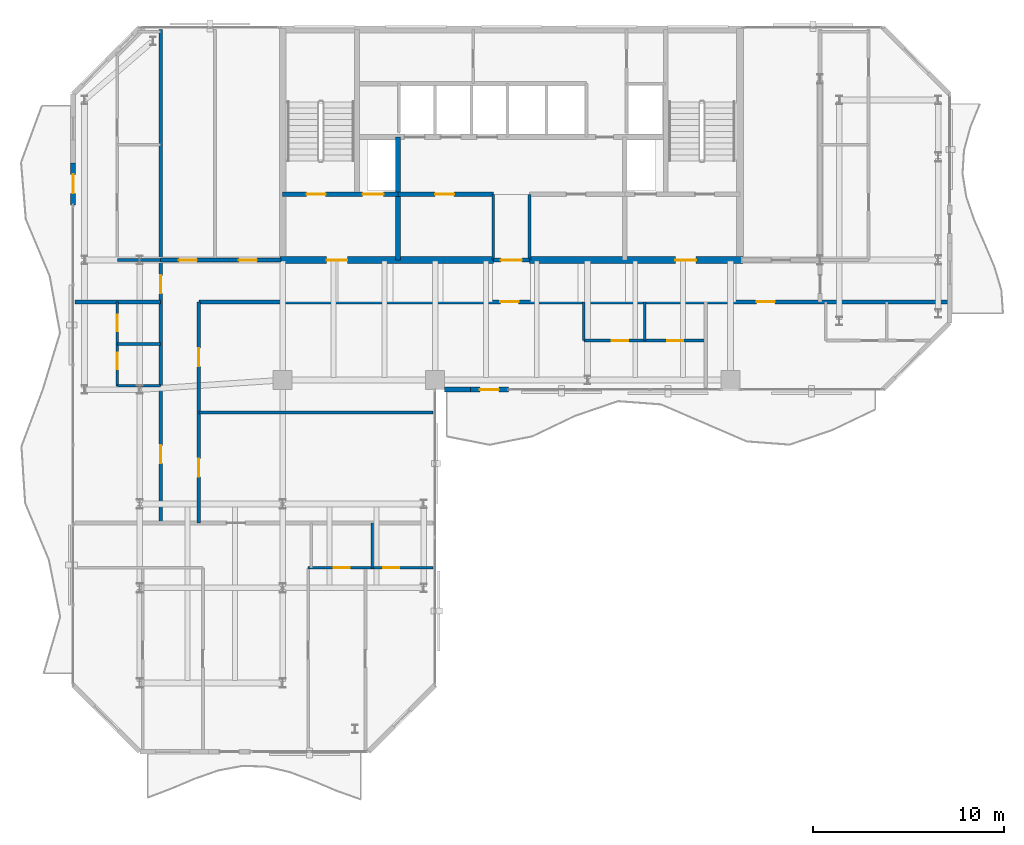
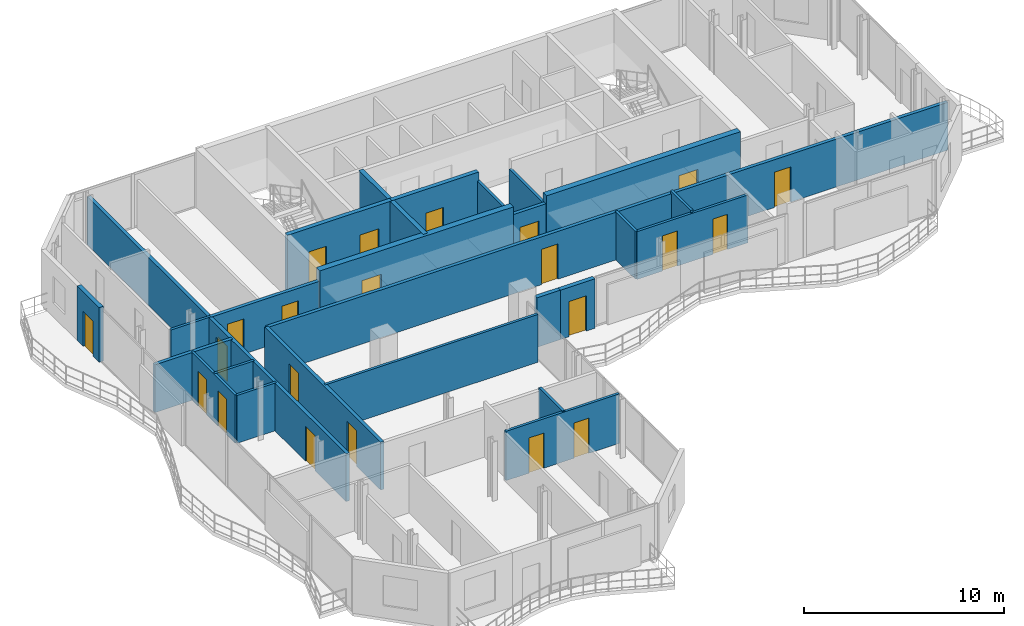
# One storey, part 18 of 23: 26 walls, 22 doors, 22 openings.
"""IFC4 building model written with IfcOpenShell, lengths in metres."""

from ifc_helpers import new_model, si_unit, direction, frame, frame_2d, origin, place, context, subcontext, project, spatial, rectangle, extrude, material, layer, layer_set, type_object, element, fill, save


model = new_model("IFC4")

# Units and contexts
model_context = context("Model", 3, precision=1e-05, world=origin(), true_north=direction((0.0, 1.0)))
body_context = subcontext(model_context, "Body", "Model", "MODEL_VIEW")
ifc_project = project(units=[si_unit("LENGTHUNIT", "METRE"), si_unit("AREAUNIT", "SQUARE_METRE"), si_unit("VOLUMEUNIT", "CUBIC_METRE"), si_unit("PLANEANGLEUNIT", "RADIAN"), si_unit("MASSUNIT", "GRAM", prefix="KILO")], contexts=[model_context])

# Site, building, storey
site_placement = place(None, origin())
site = spatial("IfcSite", under=ifc_project, at=site_placement, CompositionType="ELEMENT")
building_placement = place(site_placement, origin())
building = spatial("IfcBuilding", under=site, at=building_placement, Name="Catumbela Crestline Tower", CompositionType="ELEMENT")
storey_placement = place(building_placement, frame((0.0, 0.0, 193.8)))
storey = spatial("IfcBuildingStorey", under=building, at=storey_placement, Name="L50", CompositionType="ELEMENT", Elevation=193.8)

# Wall
ifc_material_1 = material(Name="Concrete C50/60", Category="concrete")
ifc_layer_1 = layer(ifc_material_1, 0.25, Name="Concrete C50/60")
ifc_layer_set_1 = layer_set([ifc_layer_1], Name="Concrete C50/60")
wall_type_1 = type_object("IfcWallType", Name="CW-250D", PredefinedType="SHEAR", material=ifc_layer_set_1)
wall_1_placement = place(storey_placement, frame((22.05, 30.8, 0.0), z_axis=(0.0, 0.0, 1.0), x_axis=(0.0, 1.0, 0.0)))
element("IfcWall", 1, at=wall_1_placement, inside=storey, type_object=wall_type_1, Name="L50 Structural Core Shear Wall FFW", PredefinedType="SHEAR", context=body_context, shape_type="SweptSolid", body=[
    extrude(rectangle(XDim=6.45, YDim=0.25, at=frame_2d((3.225, 0.0))), origin(), (0.0, 0.0, 1.0), 3.6),
])

# Wall, openings, doors
wall_2_placement = place(storey_placement, frame((16.0, 34.25, 0.0), z_axis=(0.0, 0.0, 1.0), x_axis=(1.0, 0.0, 0.0)))
wall_2 = element("IfcWall", 2, at=wall_2_placement, inside=storey, type_object=wall_type_1, Name="L50 Structural Core Shear Wall ST1S", PredefinedType="SHEAR", context=body_context, shape_type="SweptSolid", body=[
    extrude(rectangle(XDim=6.05, YDim=0.25, at=frame_2d((3.025, 0.0))), origin(), (0.0, 0.0, 1.0), 3.6),
])
opening_1_placement = place(wall_2_placement, frame((1.25, 0.0, 0.0)))
opening_1 = element("IfcOpeningElement", 3, at=opening_1_placement, cuts=wall_2, Name="Opening DF9-100", PredefinedType="OPENING", context=body_context, shape_type="SweptSolid", body=[
    extrude(rectangle(XDim=1.0, YDim=2.15, at=frame_2d((0.5, 1.075))), frame((0.0, 0.135, 0.0), z_axis=(0.0, -1.0, 0.0), x_axis=(1.0, 0.0, 0.0)), (0.0, 0.0, 1.0), 0.27),
])
opening_2_placement = place(wall_2_placement, frame((4.2, 0.0, 0.0)))
opening_2 = element("IfcOpeningElement", 4, at=opening_2_placement, cuts=wall_2, Name="Opening LD-110", PredefinedType="OPENING", context=body_context, shape_type="SweptSolid", body=[
    extrude(rectangle(XDim=1.1, YDim=2.15, at=frame_2d((0.55, 1.075))), frame((0.0, 0.135, 0.0), z_axis=(0.0, -1.0, 0.0), x_axis=(1.0, 0.0, 0.0)), (0.0, 0.0, 1.0), 0.27),
])
ifc_material_2 = material(Name="Stainless steel EN 1.4401", Category="steel")
door_type_1 = type_object("IfcDoorType", Name="DF9-100", OperationType="NOTDEFINED", PredefinedType="DOOR", material=ifc_material_2)
door_1_placement = place(opening_1_placement, origin())
door_1 = element("IfcDoor", 5, at=door_1_placement, inside=storey, type_object=door_type_1, Name="L50 Interior Door DR-L50-ST01", OperationType="SINGLE_SWING_LEFT", OverallHeight=2.15, OverallWidth=1.0, PredefinedType="DOOR", context=body_context, shape_type="SweptSolid", body=[
    extrude(rectangle(XDim=1.0, YDim=2.15, at=frame_2d((0.5, 1.075))), frame((0.0, 0.025, 0.0), z_axis=(0.0, -1.0, 0.0), x_axis=(1.0, 0.0, 0.0)), (0.0, 0.0, 1.0), 0.05),
])
fill(opening_1, door_1)
door_type_2 = type_object("IfcDoorType", Name="LD-110", OperationType="NOTDEFINED", PredefinedType="DOOR", material=ifc_material_2)
door_2_placement = place(opening_2_placement, origin())
door_2 = element("IfcDoor", 6, at=door_2_placement, inside=storey, type_object=door_type_2, Name="L50 Lift Landing Sliding Door FL-01", OperationType="DOUBLE_DOOR_SLIDING", OverallHeight=2.15, OverallWidth=1.1, PredefinedType="DOOR", context=body_context, shape_type="SweptSolid", body=[
    extrude(rectangle(XDim=1.1, YDim=2.15, at=frame_2d((0.55, 1.075))), frame((0.0, 0.025, 0.0), z_axis=(0.0, -1.0, 0.0), x_axis=(1.0, 0.0, 0.0)), (0.0, 0.0, 1.0), 0.05),
])
fill(opening_2, door_2)

# Wall, opening, door
wall_3_placement = place(storey_placement, frame((22.05, 34.25, 0.0), z_axis=(0.0, 0.0, 1.0), x_axis=(1.0, 0.0, 0.0)))
wall_3 = element("IfcWall", 7, at=wall_3_placement, inside=storey, type_object=wall_type_1, Name="L50 Structural Core Shear Wall LIFTS-W", PredefinedType="SHEAR", context=body_context, shape_type="SweptSolid", body=[
    extrude(rectangle(XDim=5.0, YDim=0.25, at=frame_2d((2.5, 0.0))), origin(), (0.0, 0.0, 1.0), 3.6),
])
opening_3_placement = place(wall_3_placement, frame((1.95, 0.0, 0.0)))
opening_3 = element("IfcOpeningElement", 8, at=opening_3_placement, cuts=wall_3, Name="Opening DF9-100", PredefinedType="OPENING", context=body_context, shape_type="SweptSolid", body=[
    extrude(rectangle(XDim=1.0, YDim=2.15, at=frame_2d((0.5, 1.075))), frame((0.0, 0.135, 0.0), z_axis=(0.0, -1.0, 0.0), x_axis=(1.0, 0.0, 0.0)), (0.0, 0.0, 1.0), 0.27),
])
door_3_placement = place(opening_3_placement, origin())
door_3 = element("IfcDoor", 9, at=door_3_placement, inside=storey, type_object=door_type_1, Name="L50 Interior Door DR-L50-RECL1", OperationType="SINGLE_SWING_LEFT", OverallHeight=2.15, OverallWidth=1.0, PredefinedType="DOOR", context=body_context, shape_type="SweptSolid", body=[
    extrude(rectangle(XDim=1.0, YDim=2.15, at=frame_2d((0.5, 1.075))), frame((0.0, 0.025, 0.0), z_axis=(0.0, -1.0, 0.0), x_axis=(1.0, 0.0, 0.0)), (0.0, 0.0, 1.0), 0.05),
])
fill(opening_3, door_3)

ifc_layer_2 = layer(ifc_material_1, 0.35, Name="Concrete C50/60")
ifc_layer_set_2 = layer_set([ifc_layer_2], Name="Concrete C50/60")
wall_type_2 = type_object("IfcWallType", Name="CW-350B", PredefinedType="SHEAR", material=ifc_layer_set_2)
wall_4_placement = place(storey_placement, frame((15.85, 30.8, 0.0), z_axis=(0.0, 0.0, 1.0), x_axis=(1.0, 0.0, 0.0)))
wall_4 = element("IfcWall", 10, at=wall_4_placement, inside=storey, type_object=wall_type_2, Name="L50 Structural Core Shear Wall SW", PredefinedType="SHEAR", context=body_context, shape_type="SweptSolid", body=[
    extrude(rectangle(XDim=11.2, YDim=0.35, at=frame_2d((5.6, 0.0))), origin(), (0.0, 0.0, 1.0), 3.6),
])
opening_4_placement = place(wall_4_placement, frame((2.45, 0.0, 0.0)))
opening_4 = element("IfcOpeningElement", 11, at=opening_4_placement, cuts=wall_4, Name="Opening DF9-110", PredefinedType="OPENING", context=body_context, shape_type="SweptSolid", body=[
    extrude(rectangle(XDim=1.1, YDim=2.15, at=frame_2d((0.55, 1.075))), frame((0.0, 0.185, 0.0), z_axis=(0.0, -1.0, 0.0), x_axis=(1.0, 0.0, 0.0)), (0.0, 0.0, 1.0), 0.37),
])
door_type_3 = type_object("IfcDoorType", Name="DF9-110", OperationType="NOTDEFINED", PredefinedType="DOOR", material=ifc_material_2)
door_4_placement = place(opening_4_placement, origin())
door_4 = element("IfcDoor", 12, at=door_4_placement, inside=storey, type_object=door_type_3, Name="L50 Interior Door DR-L50-FFW-S", OperationType="SINGLE_SWING_LEFT", OverallHeight=2.15, OverallWidth=1.1, PredefinedType="DOOR", context=body_context, shape_type="SweptSolid", body=[
    extrude(rectangle(XDim=1.1, YDim=2.15, at=frame_2d((0.55, 1.075))), frame((0.0, 0.025, 0.0), z_axis=(0.0, -1.0, 0.0), x_axis=(1.0, 0.0, 0.0)), (0.0, 0.0, 1.0), 0.05),
])
fill(opening_4, door_4)

wall_5_placement = place(storey_placement, frame((28.95, 30.8, 0.0), z_axis=(0.0, 0.0, 1.0), x_axis=(1.0, 0.0, 0.0)))
wall_5 = element("IfcWall", 13, at=wall_5_placement, inside=storey, type_object=wall_type_2, Name="L50 Structural Core Shear Wall SE", PredefinedType="SHEAR", context=body_context, shape_type="SweptSolid", body=[
    extrude(rectangle(XDim=11.2, YDim=0.35, at=frame_2d((5.6, 0.0))), origin(), (0.0, 0.0, 1.0), 3.6),
])
opening_5_placement = place(wall_5_placement, frame((7.65, 0.0, 0.0)))
opening_5 = element("IfcOpeningElement", 14, at=opening_5_placement, cuts=wall_5, Name="Opening DF9-110", PredefinedType="OPENING", context=body_context, shape_type="SweptSolid", body=[
    extrude(rectangle(XDim=1.1, YDim=2.15, at=frame_2d((0.55, 1.075))), frame((0.0, 0.185, 0.0), z_axis=(0.0, -1.0, 0.0), x_axis=(1.0, 0.0, 0.0)), (0.0, 0.0, 1.0), 0.37),
])
door_5_placement = place(opening_5_placement, origin())
door_5 = element("IfcDoor", 15, at=door_5_placement, inside=storey, type_object=door_type_3, Name="L50 Interior Door DR-L50-FFE-S", OperationType="SINGLE_SWING_RIGHT", OverallHeight=2.15, OverallWidth=1.1, PredefinedType="DOOR", context=body_context, shape_type="SweptSolid", body=[
    extrude(rectangle(XDim=1.1, YDim=2.15, at=frame_2d((0.55, 1.075))), frame((0.0, 0.025, 0.0), z_axis=(0.0, -1.0, 0.0), x_axis=(1.0, 0.0, 0.0)), (0.0, 0.0, 1.0), 0.05),
])
fill(opening_5, door_5)

ifc_material_3 = material(Name="Acoustic gypsum and mineral-wool partition")
ifc_layer_3 = layer(ifc_material_3, 0.2, Name="Acoustic gypsum and mineral-wool partition")
ifc_layer_set_3 = layer_set([ifc_layer_3], Name="Acoustic gypsum and mineral-wool partition")
wall_type_3 = type_object("IfcWallType", Name="WC-200", PredefinedType="PARTITIONING", material=ifc_layer_set_3)
wall_6_placement = place(storey_placement, frame((27.05, 30.8, 0.0), z_axis=(0.0, 0.0, 1.0), x_axis=(1.0, 0.0, 0.0)))
wall_6 = element("IfcWall", 16, at=wall_6_placement, inside=storey, type_object=wall_type_3, Name="L50 Interior Partition PW-L50-CLOBS", PredefinedType="PARTITIONING", context=body_context, shape_type="SweptSolid", body=[
    extrude(rectangle(XDim=1.9, YDim=0.2, at=frame_2d((0.95, 0.0))), origin(), (0.0, 0.0, 1.0), 3.07),
])
opening_6_placement = place(wall_6_placement, frame((0.4, 0.0, 0.0)))
opening_6 = element("IfcOpeningElement", 17, at=opening_6_placement, cuts=wall_6, Name="Opening DF9-110", PredefinedType="OPENING", context=body_context, shape_type="SweptSolid", body=[
    extrude(rectangle(XDim=1.1, YDim=2.15, at=frame_2d((0.55, 1.075))), frame((0.0, 0.11, 0.0), z_axis=(0.0, -1.0, 0.0), x_axis=(1.0, 0.0, 0.0)), (0.0, 0.0, 1.0), 0.22),
])
door_6_placement = place(opening_6_placement, origin())
door_6 = element("IfcDoor", 18, at=door_6_placement, inside=storey, type_object=door_type_3, Name="L50 Interior Door DR-L50-CLOBS", OperationType="SINGLE_SWING_LEFT", OverallHeight=2.15, OverallWidth=1.1, PredefinedType="DOOR", context=body_context, shape_type="SweptSolid", body=[
    extrude(rectangle(XDim=1.1, YDim=2.15, at=frame_2d((0.55, 1.075))), frame((0.0, 0.025, 0.0), z_axis=(0.0, -1.0, 0.0), x_axis=(1.0, 0.0, 0.0)), (0.0, 0.0, 1.0), 0.05),
])
fill(opening_6, door_6)

# Wall, openings, doors
wall_7_placement = place(storey_placement, frame((11.6, 28.6, 0.0), z_axis=(0.0, 0.0, 1.0), x_axis=(1.0, 0.0, 0.0)))
wall_7 = element("IfcWall", 19, at=wall_7_placement, inside=storey, type_object=wall_type_3, Name="L50 Interior Partition PW-L50-RCWR", PredefinedType="PARTITIONING", context=body_context, shape_type="SweptSolid", body=[
    extrude(rectangle(XDim=39.3, YDim=0.2, at=frame_2d((19.65, 0.0))), origin(), (0.0, 0.0, 1.0), 2.92),
])
opening_7_placement = place(wall_7_placement, frame((15.825, 0.0, 0.0)))
opening_7 = element("IfcOpeningElement", 20, at=opening_7_placement, cuts=wall_7, Name="Opening DF6-095", PredefinedType="OPENING", context=body_context, shape_type="SweptSolid", body=[
    extrude(rectangle(XDim=0.95, YDim=2.15, at=frame_2d((0.475, 1.075))), frame((0.0, 0.11, 0.0), z_axis=(0.0, -1.0, 0.0), x_axis=(1.0, 0.0, 0.0)), (0.0, 0.0, 1.0), 0.22),
])
opening_8_placement = place(wall_7_placement, frame((29.275, 0.0, 0.0)))
opening_8 = element("IfcOpeningElement", 21, at=opening_8_placement, cuts=wall_7, Name="Opening DF6-095", PredefinedType="OPENING", context=body_context, shape_type="SweptSolid", body=[
    extrude(rectangle(XDim=0.95, YDim=2.15, at=frame_2d((0.475, 1.075))), frame((0.0, 0.11, 0.0), z_axis=(0.0, -1.0, 0.0), x_axis=(1.0, 0.0, 0.0)), (0.0, 0.0, 1.0), 0.22),
])
ifc_material_4 = material(Name="Aluminium alloy AW-6060-T66", Category="aluminium")
door_type_4 = type_object("IfcDoorType", Name="DF6-095", OperationType="NOTDEFINED", PredefinedType="DOOR", material=ifc_material_4)
door_7_placement = place(opening_7_placement, origin())
door_7 = element("IfcDoor", 22, at=door_7_placement, inside=storey, type_object=door_type_4, Name="L50 Interior Door DR-L50-S1-ENT", OperationType="SINGLE_SWING_LEFT", OverallHeight=2.15, OverallWidth=0.95, PredefinedType="DOOR", context=body_context, shape_type="SweptSolid", body=[
    extrude(rectangle(XDim=0.95, YDim=2.15, at=frame_2d((0.475, 1.075))), frame((0.0, 0.025, 0.0), z_axis=(0.0, -1.0, 0.0), x_axis=(1.0, 0.0, 0.0)), (0.0, 0.0, 1.0), 0.05),
])
fill(opening_7, door_7)
door_8_placement = place(opening_8_placement, origin())
door_8 = element("IfcDoor", 23, at=door_8_placement, inside=storey, type_object=door_type_4, Name="L50 Interior Door DR-L50-S2-ENT", OperationType="SINGLE_SWING_RIGHT", OverallHeight=2.15, OverallWidth=0.95, PredefinedType="DOOR", context=body_context, shape_type="SweptSolid", body=[
    extrude(rectangle(XDim=0.95, YDim=2.15, at=frame_2d((0.475, 1.075))), frame((0.0, 0.025, 0.0), z_axis=(0.0, -1.0, 0.0), x_axis=(1.0, 0.0, 0.0)), (0.0, 0.0, 1.0), 0.05),
])
fill(opening_8, door_8)

wall_8_placement = place(storey_placement, frame((9.6, 17.0, 0.0), z_axis=(0.0, 0.0, 1.0), x_axis=(0.0, 1.0, 0.0)))
wall_8 = element("IfcWall", 24, at=wall_8_placement, inside=storey, type_object=wall_type_3, Name="L50 Interior Partition PW-L50-NW1-ENT", PredefinedType="PARTITIONING", context=body_context, shape_type="SweptSolid", body=[
    extrude(rectangle(XDim=25.9, YDim=0.2, at=frame_2d((12.95, 0.0))), origin(), (0.0, 0.0, 1.0), 2.92),
])
opening_9_placement = place(wall_8_placement, frame((12.045, 0.0, 0.0)))
opening_9 = element("IfcOpeningElement", 25, at=opening_9_placement, cuts=wall_8, Name="Opening DF6-095", PredefinedType="OPENING", context=body_context, shape_type="SweptSolid", body=[
    extrude(rectangle(XDim=0.95, YDim=2.15, at=frame_2d((0.475, 1.075))), frame((0.0, 0.11, 0.0), z_axis=(0.0, -1.0, 0.0), x_axis=(1.0, 0.0, 0.0)), (0.0, 0.0, 1.0), 0.22),
])
opening_10_placement = place(wall_8_placement, frame((3.125, 0.0, 0.0)))
opening_10 = element("IfcOpeningElement", 26, at=opening_10_placement, cuts=wall_8, Name="Opening DF6-095", PredefinedType="OPENING", context=body_context, shape_type="SweptSolid", body=[
    extrude(rectangle(XDim=0.95, YDim=2.15, at=frame_2d((0.475, 1.075))), frame((0.0, 0.11, 0.0), z_axis=(0.0, -1.0, 0.0), x_axis=(1.0, 0.0, 0.0)), (0.0, 0.0, 1.0), 0.22),
])
door_9_placement = place(opening_9_placement, origin())
door_9 = element("IfcDoor", 27, at=door_9_placement, inside=storey, type_object=door_type_4, Name="L50 Interior Door DR-L50-NW1-ENT", OperationType="SINGLE_SWING_LEFT", OverallHeight=2.15, OverallWidth=0.95, PredefinedType="DOOR", context=body_context, shape_type="SweptSolid", body=[
    extrude(rectangle(XDim=0.95, YDim=2.15, at=frame_2d((0.475, 1.075))), frame((0.0, 0.025, 0.0), z_axis=(0.0, -1.0, 0.0), x_axis=(1.0, 0.0, 0.0)), (0.0, 0.0, 1.0), 0.05),
])
fill(opening_9, door_9)
door_10_placement = place(opening_10_placement, origin())
door_10 = element("IfcDoor", 28, at=door_10_placement, inside=storey, type_object=door_type_4, Name="L50 Interior Door DR-L50-WL1-ENT", OperationType="SINGLE_SWING_LEFT", OverallHeight=2.15, OverallWidth=0.95, PredefinedType="DOOR", context=body_context, shape_type="SweptSolid", body=[
    extrude(rectangle(XDim=0.95, YDim=2.15, at=frame_2d((0.475, 1.075))), frame((0.0, 0.025, 0.0), z_axis=(0.0, -1.0, 0.0), x_axis=(1.0, 0.0, 0.0)), (0.0, 0.0, 1.0), 0.05),
])
fill(opening_10, door_10)

wall_9_placement = place(storey_placement, frame((9.6, 30.8, 0.0), z_axis=(0.0, 0.0, 1.0), x_axis=(1.0, 0.0, 0.0)))
wall_9 = element("IfcWall", 29, at=wall_9_placement, inside=storey, type_object=wall_type_3, Name="L50 Interior Partition PW-L50-NWST-ENT", PredefinedType="PARTITIONING", context=body_context, shape_type="SweptSolid", body=[
    extrude(rectangle(XDim=6.3, YDim=0.2, at=frame_2d((3.15, 0.0))), origin(), (0.0, 0.0, 1.0), 2.92),
])
opening_11_placement = place(wall_9_placement, frame((0.95, 0.0, 0.0)))
opening_11 = element("IfcOpeningElement", 30, at=opening_11_placement, cuts=wall_9, Name="Opening DF6-095", PredefinedType="OPENING", context=body_context, shape_type="SweptSolid", body=[
    extrude(rectangle(XDim=0.95, YDim=2.15, at=frame_2d((0.475, 1.075))), frame((0.0, 0.11, 0.0), z_axis=(0.0, -1.0, 0.0), x_axis=(1.0, 0.0, 0.0)), (0.0, 0.0, 1.0), 0.22),
])
opening_12_placement = place(wall_9_placement, frame((4.1, 0.0, 0.0)))
opening_12 = element("IfcOpeningElement", 31, at=opening_12_placement, cuts=wall_9, Name="Opening DF6-095", PredefinedType="OPENING", context=body_context, shape_type="SweptSolid", body=[
    extrude(rectangle(XDim=0.95, YDim=2.15, at=frame_2d((0.475, 1.075))), frame((0.0, 0.11, 0.0), z_axis=(0.0, -1.0, 0.0), x_axis=(1.0, 0.0, 0.0)), (0.0, 0.0, 1.0), 0.22),
])
door_11_placement = place(opening_11_placement, origin())
door_11 = element("IfcDoor", 32, at=door_11_placement, inside=storey, type_object=door_type_4, Name="L50 Interior Door DR-L50-NWST-ENT", OperationType="SINGLE_SWING_LEFT", OverallHeight=2.15, OverallWidth=0.95, PredefinedType="DOOR", context=body_context, shape_type="SweptSolid", body=[
    extrude(rectangle(XDim=0.95, YDim=2.15, at=frame_2d((0.475, 1.075))), frame((0.0, 0.025, 0.0), z_axis=(0.0, -1.0, 0.0), x_axis=(1.0, 0.0, 0.0)), (0.0, 0.0, 1.0), 0.05),
])
fill(opening_11, door_11)
door_12_placement = place(opening_12_placement, origin())
door_12 = element("IfcDoor", 33, at=door_12_placement, inside=storey, type_object=door_type_4, Name="L50 Interior Door DR-L50-NWMT-ENT", OperationType="SINGLE_SWING_LEFT", OverallHeight=2.15, OverallWidth=0.95, PredefinedType="DOOR", context=body_context, shape_type="SweptSolid", body=[
    extrude(rectangle(XDim=0.95, YDim=2.15, at=frame_2d((0.475, 1.075))), frame((0.0, 0.025, 0.0), z_axis=(0.0, -1.0, 0.0), x_axis=(1.0, 0.0, 0.0)), (0.0, 0.0, 1.0), 0.05),
])
fill(opening_12, door_12)

wall_10_placement = place(storey_placement, frame((11.6, 17.0, 0.0), z_axis=(0.0, 0.0, 1.0), x_axis=(0.0, 1.0, 0.0)))
wall_10 = element("IfcWall", 34, at=wall_10_placement, inside=storey, type_object=wall_type_3, Name="L50 Interior Partition PW-L50-RWMT-ENT", PredefinedType="PARTITIONING", context=body_context, shape_type="SweptSolid", body=[
    extrude(rectangle(XDim=11.6, YDim=0.2, at=frame_2d((5.8, 0.0))), origin(), (0.0, 0.0, 1.0), 2.92),
])
opening_13_placement = place(wall_10_placement, frame((8.225, 0.0, 0.0)))
opening_13 = element("IfcOpeningElement", 35, at=opening_13_placement, cuts=wall_10, Name="Opening DF6-095", PredefinedType="OPENING", context=body_context, shape_type="SweptSolid", body=[
    extrude(rectangle(XDim=0.95, YDim=2.15, at=frame_2d((0.475, 1.075))), frame((0.0, 0.11, 0.0), z_axis=(0.0, -1.0, 0.0), x_axis=(1.0, 0.0, 0.0)), (0.0, 0.0, 1.0), 0.22),
])
opening_14_placement = place(wall_10_placement, frame((2.425, 0.0, 0.0)))
opening_14 = element("IfcOpeningElement", 36, at=opening_14_placement, cuts=wall_10, Name="Opening DF6-095", PredefinedType="OPENING", context=body_context, shape_type="SweptSolid", body=[
    extrude(rectangle(XDim=0.95, YDim=2.15, at=frame_2d((0.475, 1.075))), frame((0.0, 0.11, 0.0), z_axis=(0.0, -1.0, 0.0), x_axis=(1.0, 0.0, 0.0)), (0.0, 0.0, 1.0), 0.22),
])
door_13_placement = place(opening_13_placement, origin())
door_13 = element("IfcDoor", 37, at=door_13_placement, inside=storey, type_object=door_type_4, Name="L50 Interior Door DR-L50-RWMT-ENT", OperationType="SINGLE_SWING_LEFT", OverallHeight=2.15, OverallWidth=0.95, PredefinedType="DOOR", context=body_context, shape_type="SweptSolid", body=[
    extrude(rectangle(XDim=0.95, YDim=2.15, at=frame_2d((0.475, 1.075))), frame((0.0, 0.025, 0.0), z_axis=(0.0, -1.0, 0.0), x_axis=(1.0, 0.0, 0.0)), (0.0, 0.0, 1.0), 0.05),
])
fill(opening_13, door_13)
door_14_placement = place(opening_14_placement, origin())
door_14 = element("IfcDoor", 38, at=door_14_placement, inside=storey, type_object=door_type_4, Name="L50 Interior Door DR-L50-RWLN-ENT", OperationType="SINGLE_SWING_RIGHT", OverallHeight=2.15, OverallWidth=0.95, PredefinedType="DOOR", context=body_context, shape_type="SweptSolid", body=[
    extrude(rectangle(XDim=0.95, YDim=2.15, at=frame_2d((0.475, 1.075))), frame((0.0, 0.025, 0.0), z_axis=(0.0, -1.0, 0.0), x_axis=(1.0, 0.0, 0.0)), (0.0, 0.0, 1.0), 0.05),
])
fill(opening_14, door_14)

# Wall, opening, door
ifc_material_5 = material(Name="Angolan grey-ochre granite", Category="masonry")
ifc_layer_4 = layer(ifc_material_5, 0.25, Name="Angolan grey-ochre granite")
ifc_layer_set_4 = layer_set([ifc_layer_4], Name="Angolan grey-ochre granite")
wall_type_4 = type_object("IfcWallType", Name="WE-250", PredefinedType="STANDARD", material=ifc_layer_set_4)
wall_11_placement = place(storey_placement, frame((25.85, 24.0, 0.0), z_axis=(0.0, 0.0, 1.0), x_axis=(1.0, 0.0, 0.0)))
wall_11 = element("IfcWall", 39, at=wall_11_placement, inside=storey, type_object=wall_type_4, Name="L50 Exterior Threshold Portal Wall DR-L50-WBAL-1", PredefinedType="STANDARD", context=body_context, shape_type="SweptSolid", body=[
    extrude(rectangle(XDim=2.0, YDim=0.25, at=frame_2d((1.0, 0.0))), origin(), (0.0, 0.0, 1.0), 3.02),
])
opening_15_placement = place(wall_11_placement, frame((0.5, 0.0, 0.0)))
opening_15 = element("IfcOpeningElement", 40, at=opening_15_placement, cuts=wall_11, Name="Opening DB-L50-1", PredefinedType="OPENING", context=body_context, shape_type="SweptSolid", body=[
    extrude(rectangle(XDim=1.0, YDim=2.15, at=frame_2d((0.5, 1.075))), frame((0.0, 0.135, 0.0), z_axis=(0.0, -1.0, 0.0), x_axis=(1.0, 0.0, 0.0)), (0.0, 0.0, 1.0), 0.27),
])
door_type_5 = type_object("IfcDoorType", Name="DB-1000", OperationType="NOTDEFINED", PredefinedType="DOOR", material=ifc_material_4)
door_15_placement = place(opening_15_placement, origin())
door_15 = element("IfcDoor", 41, at=door_15_placement, inside=storey, type_object=door_type_5, Name="L50 Wave Balcony Terrace Door 1", OperationType="SINGLE_SWING_RIGHT", OverallHeight=2.15, OverallWidth=1.0, PredefinedType="DOOR", context=body_context, shape_type="SweptSolid", body=[
    extrude(rectangle(XDim=1.0, YDim=2.15, at=frame_2d((0.5, 1.075))), frame((0.0, 0.025, 0.0), z_axis=(0.0, -1.0, 0.0), x_axis=(1.0, 0.0, 0.0)), (0.0, 0.0, 1.0), 0.05),
])
fill(opening_15, door_15)

# Wall
wall_12_placement = place(storey_placement, frame((24.5, 24.0, 0.0), z_axis=(0.0, 0.0, 1.0), x_axis=(1.0, 0.0, 0.0)))
element("IfcWall", 42, at=wall_12_placement, inside=storey, type_object=wall_type_4, Name="L50 Granite Punched Window Wall 3-1", PredefinedType="STANDARD", context=body_context, shape_type="SweptSolid", body=[
    extrude(rectangle(XDim=1.35, YDim=0.25, at=frame_2d((0.675, 0.0))), origin(), (0.0, 0.0, 1.0), 3.02),
])

# Wall, opening, door
wall_13_placement = place(storey_placement, frame((5.0, 35.9, 0.0), z_axis=(0.0, 0.0, 1.0), x_axis=(0.0, -1.0, 0.0)))
wall_13 = element("IfcWall", 43, at=wall_13_placement, inside=storey, type_object=wall_type_4, Name="L50 Exterior Threshold Portal Wall DR-L50-WBAL-4", PredefinedType="STANDARD", context=body_context, shape_type="SweptSolid", body=[
    extrude(rectangle(XDim=2.2, YDim=0.25, at=frame_2d((1.1, 0.0))), origin(), (0.0, 0.0, 1.0), 3.33),
])
opening_16_placement = place(wall_13_placement, frame((0.6, 0.0, 0.0)))
opening_16 = element("IfcOpeningElement", 44, at=opening_16_placement, cuts=wall_13, Name="Opening DB-L50-4", PredefinedType="OPENING", context=body_context, shape_type="SweptSolid", body=[
    extrude(rectangle(XDim=1.0, YDim=2.15, at=frame_2d((0.5, 1.075))), frame((0.0, 0.135, 0.0), z_axis=(0.0, -1.0, 0.0), x_axis=(1.0, 0.0, 0.0)), (0.0, 0.0, 1.0), 0.27),
])
door_16_placement = place(opening_16_placement, origin())
door_16 = element("IfcDoor", 45, at=door_16_placement, inside=storey, type_object=door_type_5, Name="L50 Wave Balcony Terrace Door 4", OperationType="SINGLE_SWING_LEFT", OverallHeight=2.15, OverallWidth=1.0, PredefinedType="DOOR", context=body_context, shape_type="SweptSolid", body=[
    extrude(rectangle(XDim=1.0, YDim=2.15, at=frame_2d((0.5, 1.075))), frame((0.0, 0.025, 0.0), z_axis=(0.0, -1.0, 0.0), x_axis=(1.0, 0.0, 0.0)), (0.0, 0.0, 1.0), 0.05),
])
fill(opening_16, door_16)

# Walls
ifc_layer_5 = layer(ifc_material_3, 0.15, Name="Acoustic gypsum and mineral-wool partition")
ifc_layer_set_5 = layer_set([ifc_layer_5], Name="Acoustic gypsum and mineral-wool partition")
wall_type_5 = type_object("IfcWallType", Name="WP-150", PredefinedType="PARTITIONING", material=ifc_layer_set_5)
wall_14_placement = place(storey_placement, frame((7.32, 30.8, 0.0), z_axis=(0.0, 0.0, 1.0), x_axis=(1.0, 0.0, 0.0)))
element("IfcWall", 46, at=wall_14_placement, inside=storey, type_object=wall_type_5, Name="L50 Interior Partition PW-L50-NW1-KBS", PredefinedType="PARTITIONING", context=body_context, shape_type="SweptSolid", body=[
    extrude(rectangle(XDim=2.28, YDim=0.15, at=frame_2d((1.14, 0.0))), origin(), (0.0, 0.0, 1.0), 2.92),
])
wall_15_placement = place(storey_placement, frame((31.8, 26.576, 0.0), z_axis=(0.0, 0.0, 1.0), x_axis=(0.0, 1.0, 0.0)))
element("IfcWall", 47, at=wall_15_placement, inside=storey, type_object=wall_type_5, Name="L50 Interior Partition PW-L50-S1-KBW", PredefinedType="PARTITIONING", context=body_context, shape_type="SweptSolid", body=[
    extrude(rectangle(XDim=2.024, YDim=0.15, at=frame_2d((1.012, 0.0))), origin(), (0.0, 0.0, 1.0), 2.92),
])
wall_16_placement = place(storey_placement, frame((35.0, 26.576, 0.0), z_axis=(0.0, 0.0, 1.0), x_axis=(0.0, 1.0, 0.0)))
element("IfcWall", 48, at=wall_16_placement, inside=storey, type_object=wall_type_5, Name="L50 Interior Partition PW-L50-S1-KBM", PredefinedType="PARTITIONING", context=body_context, shape_type="SweptSolid", body=[
    extrude(rectangle(XDim=2.024, YDim=0.15, at=frame_2d((1.012, 0.0))), origin(), (0.0, 0.0, 1.0), 3.07),
])

# Wall, openings, doors
wall_17_placement = place(storey_placement, frame((31.8, 26.576, 0.0), z_axis=(0.0, 0.0, 1.0), x_axis=(1.0, 0.0, 0.0)))
wall_17 = element("IfcWall", 49, at=wall_17_placement, inside=storey, type_object=wall_type_5, Name="L50 Interior Partition PW-L50-S1-KBD1", PredefinedType="PARTITIONING", context=body_context, shape_type="SweptSolid", body=[
    extrude(rectangle(XDim=6.4, YDim=0.15, at=frame_2d((3.2, 0.0))), origin(), (0.0, 0.0, 1.0), 2.92),
])
opening_17_placement = place(wall_17_placement, frame((1.4716, 0.0, 0.0)))
opening_17 = element("IfcOpeningElement", 50, at=opening_17_placement, cuts=wall_17, Name="Opening DI-085", PredefinedType="OPENING", context=body_context, shape_type="SweptSolid", body=[
    extrude(rectangle(XDim=0.85, YDim=2.15, at=frame_2d((0.425, 1.075))), frame((0.0, 0.085, 0.0), z_axis=(0.0, -1.0, 0.0), x_axis=(1.0, 0.0, 0.0)), (0.0, 0.0, 1.0), 0.17),
])
opening_18_placement = place(wall_17_placement, frame((4.375, 0.0, 0.0)))
opening_18 = element("IfcOpeningElement", 51, at=opening_18_placement, cuts=wall_17, Name="Opening DI-085", PredefinedType="OPENING", context=body_context, shape_type="SweptSolid", body=[
    extrude(rectangle(XDim=0.85, YDim=2.15, at=frame_2d((0.425, 1.075))), frame((0.0, 0.085, 0.0), z_axis=(0.0, -1.0, 0.0), x_axis=(1.0, 0.0, 0.0)), (0.0, 0.0, 1.0), 0.17),
])
door_type_6 = type_object("IfcDoorType", Name="DI-085", OperationType="NOTDEFINED", PredefinedType="DOOR", material=ifc_material_4)
door_17_placement = place(opening_17_placement, origin())
door_17 = element("IfcDoor", 52, at=door_17_placement, inside=storey, type_object=door_type_6, Name="L50 Interior Door DR-L50-S1-BTH", OperationType="SINGLE_SWING_LEFT", OverallHeight=2.15, OverallWidth=0.85, PredefinedType="DOOR", context=body_context, shape_type="SweptSolid", body=[
    extrude(rectangle(XDim=0.85, YDim=2.15, at=frame_2d((0.425, 1.075))), frame((0.0, 0.025, 0.0), z_axis=(0.0, -1.0, 0.0), x_axis=(1.0, 0.0, 0.0)), (0.0, 0.0, 1.0), 0.05),
])
fill(opening_17, door_17)
door_18_placement = place(opening_18_placement, origin())
door_18 = element("IfcDoor", 53, at=door_18_placement, inside=storey, type_object=door_type_6, Name="L50 Interior Door DR-L50-S1-KIT", OperationType="SINGLE_SWING_RIGHT", OverallHeight=2.15, OverallWidth=0.85, PredefinedType="DOOR", context=body_context, shape_type="SweptSolid", body=[
    extrude(rectangle(XDim=0.85, YDim=2.15, at=frame_2d((0.425, 1.075))), frame((0.0, 0.025, 0.0), z_axis=(0.0, -1.0, 0.0), x_axis=(1.0, 0.0, 0.0)), (0.0, 0.0, 1.0), 0.05),
])
fill(opening_18, door_18)

# Walls
for number, where, z_axis, x_axis, name in (
    (54, (7.32, 24.2, 0.0), (0.0, 0.0, 1.0), (1.0, 0.0, 0.0), "L50 Interior Partition PW-L50-WL1-KBS"),
    (55, (7.32, 26.4, 0.0), (0.0, 0.0, 1.0), (1.0, 0.0, 0.0), "L50 Interior Partition PW-L50-WL1-KBM"),
):
    element("IfcWall", number, at=place(storey_placement, frame(where, z_axis=z_axis, x_axis=x_axis)), inside=storey, type_object=wall_type_5, Name=name, PredefinedType="PARTITIONING", context=body_context, shape_type="SweptSolid", body=[
        extrude(rectangle(XDim=2.28, YDim=0.15, at=frame_2d((1.14, 0.0))), origin(), (0.0, 0.0, 1.0), 2.92),
    ])

# Wall, openings, doors
wall_18_placement = place(storey_placement, frame((7.32, 24.2, 0.0), z_axis=(0.0, 0.0, 1.0), x_axis=(0.0, 1.0, 0.0)))
wall_18 = element("IfcWall", 56, at=wall_18_placement, inside=storey, type_object=wall_type_5, Name="L50 Interior Partition PW-L50-WL1-SK1", PredefinedType="PARTITIONING", context=body_context, shape_type="SweptSolid", body=[
    extrude(rectangle(XDim=4.4, YDim=0.15, at=frame_2d((2.2, 0.0))), origin(), (0.0, 0.0, 1.0), 2.92),
])
opening_19_placement = place(wall_18_placement, frame((0.8733, 0.0, 0.0)))
opening_19 = element("IfcOpeningElement", 57, at=opening_19_placement, cuts=wall_18, Name="Opening DI-085", PredefinedType="OPENING", context=body_context, shape_type="SweptSolid", body=[
    extrude(rectangle(XDim=0.85, YDim=2.15, at=frame_2d((0.425, 1.075))), frame((0.0, 0.085, 0.0), z_axis=(0.0, -1.0, 0.0), x_axis=(1.0, 0.0, 0.0)), (0.0, 0.0, 1.0), 0.17),
])
opening_20_placement = place(wall_18_placement, frame((2.875, 0.0, 0.0)))
opening_20 = element("IfcOpeningElement", 58, at=opening_20_placement, cuts=wall_18, Name="Opening DI-085", PredefinedType="OPENING", context=body_context, shape_type="SweptSolid", body=[
    extrude(rectangle(XDim=0.85, YDim=2.15, at=frame_2d((0.425, 1.075))), frame((0.0, 0.085, 0.0), z_axis=(0.0, -1.0, 0.0), x_axis=(1.0, 0.0, 0.0)), (0.0, 0.0, 1.0), 0.17),
])
door_19_placement = place(opening_19_placement, origin())
door_19 = element("IfcDoor", 59, at=door_19_placement, inside=storey, type_object=door_type_6, Name="L50 Interior Door DR-L50-WL1-KIT", OperationType="SINGLE_SWING_LEFT", OverallHeight=2.15, OverallWidth=0.85, PredefinedType="DOOR", context=body_context, shape_type="SweptSolid", body=[
    extrude(rectangle(XDim=0.85, YDim=2.15, at=frame_2d((0.425, 1.075))), frame((0.0, 0.025, 0.0), z_axis=(0.0, -1.0, 0.0), x_axis=(1.0, 0.0, 0.0)), (0.0, 0.0, 1.0), 0.05),
])
fill(opening_19, door_19)
door_20_placement = place(opening_20_placement, origin())
door_20 = element("IfcDoor", 60, at=door_20_placement, inside=storey, type_object=door_type_6, Name="L50 Interior Door DR-L50-WL1-BTH", OperationType="SINGLE_SWING_RIGHT", OverallHeight=2.15, OverallWidth=0.85, PredefinedType="DOOR", context=body_context, shape_type="SweptSolid", body=[
    extrude(rectangle(XDim=0.85, YDim=2.15, at=frame_2d((0.425, 1.075))), frame((0.0, 0.025, 0.0), z_axis=(0.0, -1.0, 0.0), x_axis=(1.0, 0.0, 0.0)), (0.0, 0.0, 1.0), 0.05),
])
fill(opening_20, door_20)

# Walls
wall_19_placement = place(storey_placement, frame((11.6, 22.8, 0.0), z_axis=(0.0, 0.0, 1.0), x_axis=(1.0, 0.0, 0.0)))
element("IfcWall", 61, at=wall_19_placement, inside=storey, type_object=wall_type_5, Name="L50 Interior Partition PW-L50-RWRP3", PredefinedType="PARTITIONING", context=body_context, shape_type="SweptSolid", body=[
    extrude(rectangle(XDim=12.3, YDim=0.15, at=frame_2d((6.15, 0.0))), origin(), (0.0, 0.0, 1.0), 2.92),
])
wall_20_placement = place(storey_placement, frame((20.7, 14.65, 0.0), z_axis=(0.0, 0.0, 1.0), x_axis=(0.0, 1.0, 0.0)))
element("IfcWall", 62, at=wall_20_placement, inside=storey, type_object=wall_type_5, Name="L50 Interior Partition PW-L50-SH1-KBM", PredefinedType="PARTITIONING", context=body_context, shape_type="SweptSolid", body=[
    extrude(rectangle(XDim=2.35, YDim=0.15, at=frame_2d((1.175, 0.0))), origin(), (0.0, 0.0, 1.0), 3.07),
])

# Wall, openings, doors
wall_21_placement = place(storey_placement, frame((17.34, 14.65, 0.0), z_axis=(0.0, 0.0, 1.0), x_axis=(1.0, 0.0, 0.0)))
wall_21 = element("IfcWall", 63, at=wall_21_placement, inside=storey, type_object=wall_type_5, Name="L50 Interior Partition PW-L50-SH1-KBD1", PredefinedType="PARTITIONING", context=body_context, shape_type="SweptSolid", body=[
    extrude(rectangle(XDim=6.56, YDim=0.15, at=frame_2d((3.28, 0.0))), origin(), (0.0, 0.0, 1.0), 3.02),
])
opening_21_placement = place(wall_21_placement, frame((1.335, 0.0, 0.0)))
opening_21 = element("IfcOpeningElement", 64, at=opening_21_placement, cuts=wall_21, Name="Opening DI-085", PredefinedType="OPENING", context=body_context, shape_type="SweptSolid", body=[
    extrude(rectangle(XDim=0.85, YDim=2.15, at=frame_2d((0.425, 1.075))), frame((0.0, 0.085, 0.0), z_axis=(0.0, -1.0, 0.0), x_axis=(1.0, 0.0, 0.0)), (0.0, 0.0, 1.0), 0.17),
])
opening_22_placement = place(wall_21_placement, frame((3.9305, 0.0, 0.0)))
opening_22 = element("IfcOpeningElement", 65, at=opening_22_placement, cuts=wall_21, Name="Opening DI-085", PredefinedType="OPENING", context=body_context, shape_type="SweptSolid", body=[
    extrude(rectangle(XDim=0.85, YDim=2.15, at=frame_2d((0.425, 1.075))), frame((0.0, 0.085, 0.0), z_axis=(0.0, -1.0, 0.0), x_axis=(1.0, 0.0, 0.0)), (0.0, 0.0, 1.0), 0.17),
])
door_21_placement = place(opening_21_placement, origin())
door_21 = element("IfcDoor", 66, at=door_21_placement, inside=storey, type_object=door_type_6, Name="L50 Interior Door DR-L50-SH1-BTH", OperationType="SINGLE_SWING_LEFT", OverallHeight=2.15, OverallWidth=0.85, PredefinedType="DOOR", context=body_context, shape_type="SweptSolid", body=[
    extrude(rectangle(XDim=0.85, YDim=2.15, at=frame_2d((0.425, 1.075))), frame((0.0, 0.025, 0.0), z_axis=(0.0, -1.0, 0.0), x_axis=(1.0, 0.0, 0.0)), (0.0, 0.0, 1.0), 0.05),
])
fill(opening_21, door_21)
door_22_placement = place(opening_22_placement, origin())
door_22 = element("IfcDoor", 67, at=door_22_placement, inside=storey, type_object=door_type_6, Name="L50 Interior Door DR-L50-SH1-KIT", OperationType="SINGLE_SWING_RIGHT", OverallHeight=2.15, OverallWidth=0.85, PredefinedType="DOOR", context=body_context, shape_type="SweptSolid", body=[
    extrude(rectangle(XDim=0.85, YDim=2.15, at=frame_2d((0.425, 1.075))), frame((0.0, 0.025, 0.0), z_axis=(0.0, -1.0, 0.0), x_axis=(1.0, 0.0, 0.0)), (0.0, 0.0, 1.0), 0.05),
])
fill(opening_22, door_22)

# Walls
ifc_layer_6 = layer(ifc_material_3, 0.2, Name="Acoustic gypsum and mineral-wool partition")
ifc_layer_set_6 = layer_set([ifc_layer_6], Name="Acoustic gypsum and mineral-wool partition")
wall_type_6 = type_object("IfcWallType", Name="WY-200", PredefinedType="PARTITIONING", material=ifc_layer_set_6)
wall_22_placement = place(storey_placement, frame((5.1, 28.6, 0.0), z_axis=(0.0, 0.0, 1.0), x_axis=(1.0, 0.0, 0.0)))
element("IfcWall", 68, at=wall_22_placement, inside=storey, type_object=wall_type_6, Name="L50 Interior Partition PW-L50-RCWNW", PredefinedType="PARTITIONING", context=body_context, shape_type="SweptSolid", body=[
    extrude(rectangle(XDim=4.5, YDim=0.2, at=frame_2d((2.25, 0.0))), origin(), (0.0, 0.0, 1.0), 2.92),
])
ifc_layer_7 = layer(ifc_material_3, 0.15, Name="Acoustic gypsum and mineral-wool partition")
ifc_layer_set_7 = layer_set([ifc_layer_7], Name="Acoustic gypsum and mineral-wool partition")
wall_type_7 = type_object("IfcWallType", Name="WS-150", PredefinedType="PLUMBINGWALL", material=ifc_layer_set_7)
for number, where, z_axis, x_axis, name in (
    (69, (27.05, 30.8, 0.0), (0.0, 0.0, 1.0), (0.0, 1.0, 0.0), "L50 Interior Partition PW-L50-THRW"),
    (70, (28.95, 30.8, 0.0), (0.0, 0.0, 1.0), (0.0, 1.0, 0.0), "L50 Interior Partition PW-L50-THRE"),
):
    element("IfcWall", number, at=place(storey_placement, frame(where, z_axis=z_axis, x_axis=x_axis)), inside=storey, type_object=wall_type_7, Name=name, PredefinedType="PLUMBINGWALL", context=body_context, shape_type="SweptSolid", body=[
        extrude(rectangle(XDim=3.45, YDim=0.15, at=frame_2d((1.725, 0.0))), origin(), (0.0, 0.0, 1.0), 3.07),
    ])

save(model, "model.ifc")
